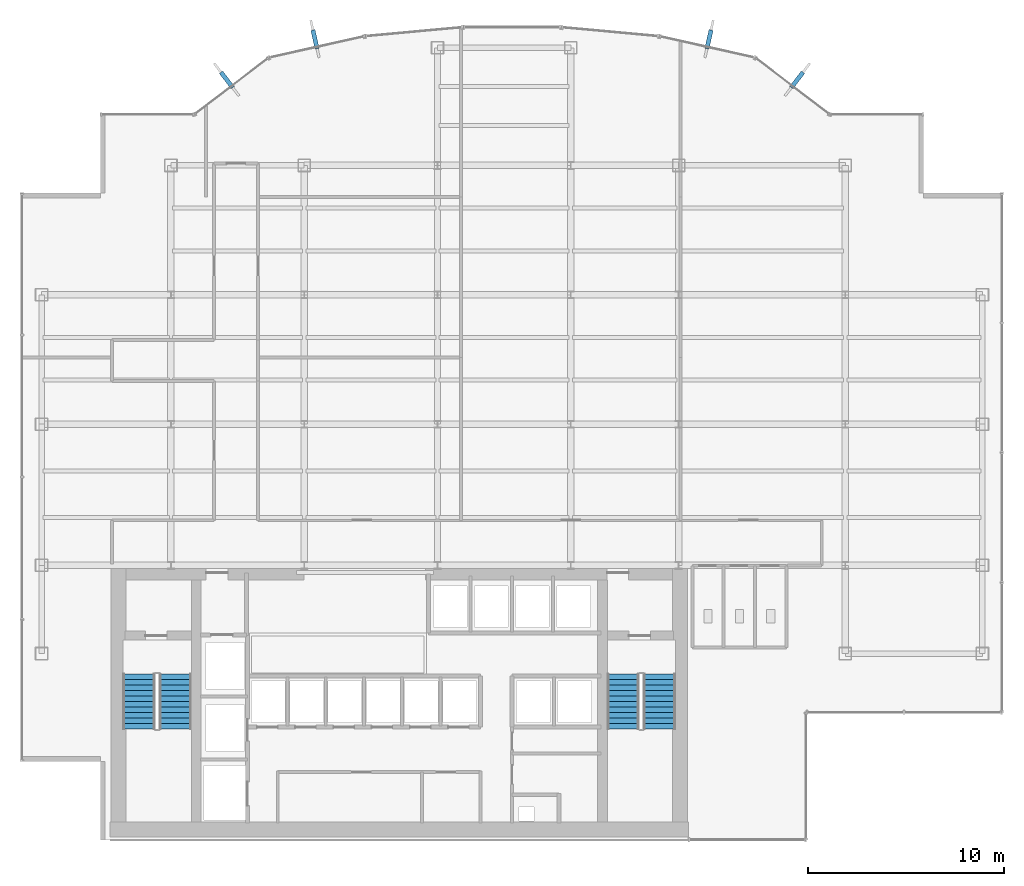
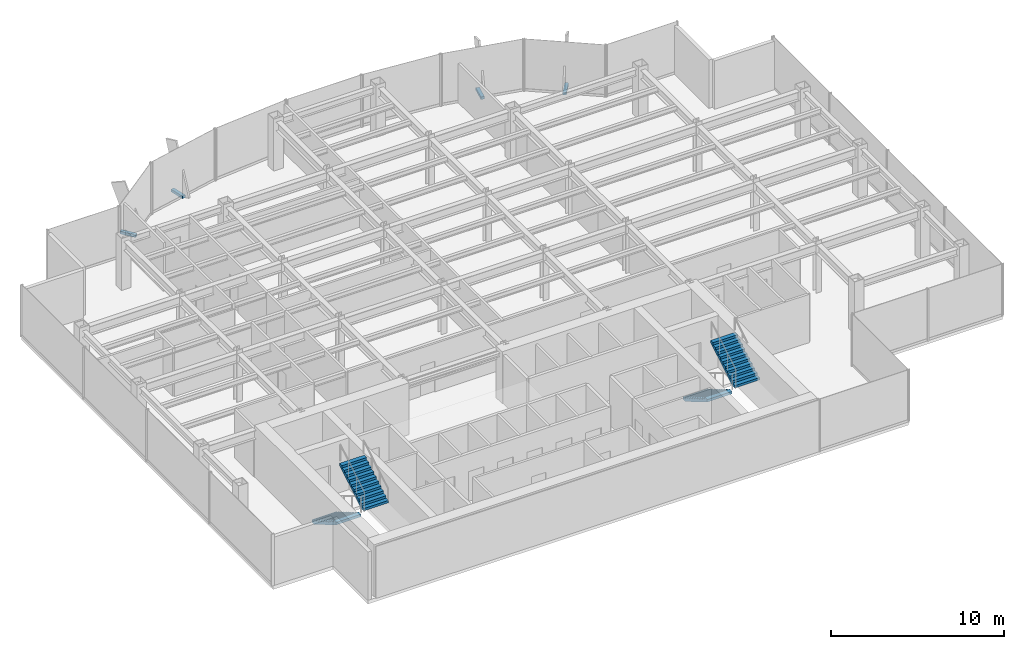
# One storey, part 22 of 25: 4 discrete accessories, 4 stair flights, 2 elements without a shape of their own.
"""IFC4 building model written with IfcOpenShell, lengths in metres."""

from ifc_helpers import new_model, si_unit, derived_unit, direction, frame, origin, origin_2d, place, context, subcontext, project, spatial, polyline, rectangle, outline, extrude, source, transform, mapped, material, type_object, element, aggregate, save


model = new_model("IFC4")

# Units and contexts
model_context = context("Model", 3, precision=1e-05, world=origin(), true_north=direction((0.0, 1.0)))
body_context = subcontext(model_context, "Body", "Model", "MODEL_VIEW")
ifc_project = project(units=[si_unit("LENGTHUNIT", "METRE"), si_unit("AREAUNIT", "SQUARE_METRE"), si_unit("VOLUMEUNIT", "CUBIC_METRE"), si_unit("PLANEANGLEUNIT", "RADIAN"), si_unit("MASSUNIT", "GRAM", prefix="KILO"), derived_unit("THERMALTRANSMITTANCEUNIT", [(si_unit("POWERUNIT", "WATT"), 1), (si_unit("LENGTHUNIT", "METRE"), -2), (si_unit("THERMODYNAMICTEMPERATUREUNIT", "KELVIN"), -1)])], contexts=[model_context])

# Site, building, storey
site_placement = place(None, origin())
site = spatial("IfcSite", under=ifc_project, at=site_placement, CompositionType="ELEMENT")
building_placement = place(site_placement, origin())
building = spatial("IfcBuilding", under=site, at=building_placement, Name="Skarnbrae Concourse Arena and Tower", CompositionType="ELEMENT")
storey_placement = place(building_placement, frame((0.0, 0.0, 169.800048828125)))
storey = spatial("IfcBuildingStorey", under=building, at=storey_placement, Name="L43", CompositionType="ELEMENT", Elevation=169.800048828125)

# Stair, stair flights
ifc_material_1 = material(Name="Concrete 40 MPa (C40/50)", Category="concrete")
stair_type = type_object("IfcStairType", Name="STAIR-DOGLEG-1650", PredefinedType="HALF_TURN_STAIR", material=ifc_material_1)
stair_1_placement = place(storey_placement, origin())
stair_1 = element("IfcStair", 1, at=stair_1_placement, inside=storey, type_object=stair_type, Name="L43 Protected Exit Stair ST-1", PredefinedType="HALF_TURN_STAIR")
stair_flight_type = type_object("IfcStairFlightType", Name="FLIGHT-STRAIGHT-1650", PredefinedType="STRAIGHT", material=ifc_material_1)
shared_shape_1 = source(origin(), body_context, "Body", "SweptSolid", [
    extrude(outline(polyline([(0.0, 0.0), (0.0, 0.166015625), (0.280029296875, 0.166015625), (0.280029296875, 0.331787109375), (0.56005859375, 0.331787109375), (0.56005859375, 0.497802734375), (0.840087890625, 0.497802734375), (0.840087890625, 0.66357421875), (1.1201171875, 0.66357421875), (1.1201171875, 0.82958984375), (1.39990234375, 0.82958984375), (1.39990234375, 0.995361328125), (1.679931640625, 0.995361328125), (1.679931640625, 1.161376953125), (1.9599609375, 1.161376953125), (1.9599609375, 1.327392578125), (2.239990234375, 1.327392578125), (2.239990234375, 1.4931640625), (2.52001953125, 1.4931640625), (2.52001953125, 1.6591796875), (2.800048828125, 1.6591796875), (2.800048828125, 1.824951171875), (2.800048828125, 1.48486328125), (0.2939453125, 0.0), (0.0, 0.0)])), frame((0.0, 0.824951171875, 0.0), z_axis=(0.0, -1.0, 0.0), x_axis=(1.0, 0.0, 0.0)), (0.0, 0.0, 1.0), 1.64990234375),
])
stair_flight_1_placement = place(storey_placement, frame((5.97509765625, 8.449951171875, 0.0), z_axis=(0.0, 0.0, 1.0), x_axis=(0.0, -1.0, 0.0)))
stair_flight_1 = element("IfcStairFlight", 2, at=stair_flight_1_placement, type_object=stair_flight_type, Name="ST-1 flight 1", NumberOfRisers=11, NumberOfTreads=10, PredefinedType="STRAIGHT", RiserHeight=0.165909091, TreadLength=0.28, context=body_context, shape_type="MappedRepresentation", body=[
    mapped(shared_shape_1, transform((0.0, 0.0, 0.0))),
])
stair_flight_2_placement = place(storey_placement, frame((7.824951171875, 5.64990234375, 1.824951171875), z_axis=(0.0, 0.0, 1.0), x_axis=(0.0, 1.0, 0.0)))
stair_flight_2 = element("IfcStairFlight", 3, at=stair_flight_2_placement, type_object=stair_flight_type, Name="ST-1 flight 2", NumberOfRisers=11, NumberOfTreads=10, PredefinedType="STRAIGHT", RiserHeight=0.165909091, TreadLength=0.28, context=body_context, shape_type="MappedRepresentation", body=[
    mapped(shared_shape_1, transform((0.0, 0.0, 0.0))),
])
aggregate(stair_1, [stair_flight_1, stair_flight_2])

stair_2_placement = place(storey_placement, origin())
stair_2 = element("IfcStair", 4, at=stair_2_placement, inside=storey, type_object=stair_type, Name="L43 Protected Exit Stair ST-2", PredefinedType="HALF_TURN_STAIR")
stair_flight_3_placement = place(storey_placement, frame((30.675048828125, 8.449951171875, 0.0), z_axis=(0.0, 0.0, 1.0), x_axis=(0.0, -1.0, 0.0)))
stair_flight_3 = element("IfcStairFlight", 5, at=stair_flight_3_placement, type_object=stair_flight_type, Name="ST-2 flight 1", NumberOfRisers=11, NumberOfTreads=10, PredefinedType="STRAIGHT", RiserHeight=0.165909091, TreadLength=0.28, context=body_context, shape_type="MappedRepresentation", body=[
    mapped(shared_shape_1, transform((0.0, 0.0, 0.0))),
])
stair_flight_4_placement = place(storey_placement, frame((32.52490234375, 5.64990234375, 1.824951171875), z_axis=(0.0, 0.0, 1.0), x_axis=(0.0, 1.0, 0.0)))
stair_flight_4 = element("IfcStairFlight", 6, at=stair_flight_4_placement, type_object=stair_flight_type, Name="ST-2 flight 2", NumberOfRisers=11, NumberOfTreads=10, PredefinedType="STRAIGHT", RiserHeight=0.165909091, TreadLength=0.28, context=body_context, shape_type="MappedRepresentation", body=[
    mapped(shared_shape_1, transform((0.0, 0.0, 0.0))),
])
aggregate(stair_2, [stair_flight_3, stair_flight_4])

# Discrete accessories
ifc_material_2 = material(Name="Bronze anodised aluminium 6063-T6", Category="aluminium")
discrete_accessory_type = type_object("IfcDiscreteAccessoryType", Name="ACC-FIN-BRACKET", PredefinedType="BRACKET", material=ifc_material_2)
shared_shape_2 = source(origin(), body_context, "Body", "SweptSolid", [
    extrude(rectangle(XDim=0.219970703125, YDim=0.97998046875, at=origin_2d()), origin(), (0.0, 0.0, 1.0), 0.179931640625),
])
for number, where, z_axis, x_axis, name in (
    (7, (39.54736328125, 38.764404296875, -0.02978515625), (0.0, 0.0, 1.0), (0.794954941871, -0.606668476513, 0.0), "L43 Bronze fin foot support bracket 08"),
    (8, (35.048095703125, 40.830078125, -0.02978515625), (0.0, 0.0, 1.0), (0.975935794812, -0.218058075762, 0.0), "L43 Bronze fin foot support bracket 09"),
    (9, (14.951904296875, 40.830078125, -0.02978515625), (0.0, 0.0, 1.0), (0.975935794812, 0.218058075762, 0.0), "L43 Bronze fin foot support bracket 13"),
    (10, (10.45263671875, 38.764404296875, -0.02978515625), (0.0, 0.0, 1.0), (0.794954941871, 0.606668476513, 0.0), "L43 Bronze fin foot support bracket 14"),
):
    element("IfcDiscreteAccessory", number, at=place(storey_placement, frame(where, z_axis=z_axis, x_axis=x_axis)), inside=storey, type_object=discrete_accessory_type, Name=name, PredefinedType="BRACKET", context=body_context, shape_type="MappedRepresentation", body=[
        mapped(shared_shape_2, transform((0.0, 0.0, 0.0))),
    ])

save(model, "model.ifc")
